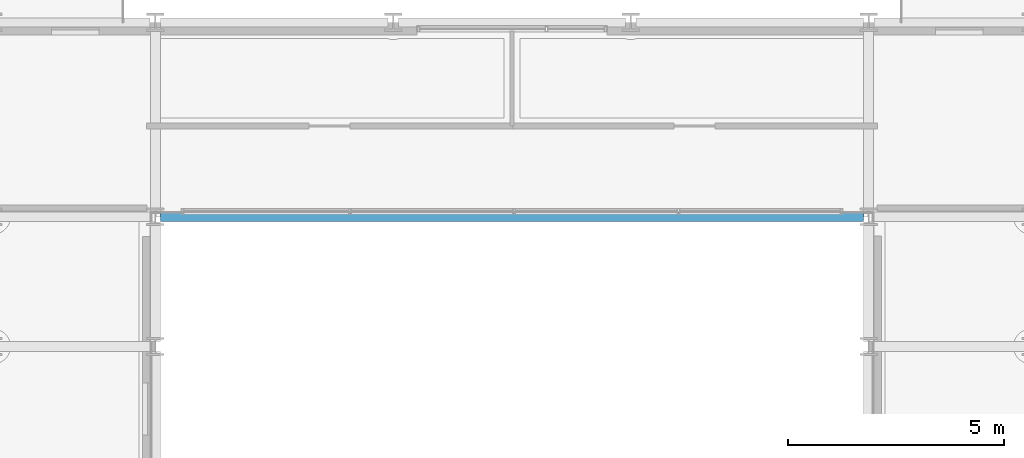
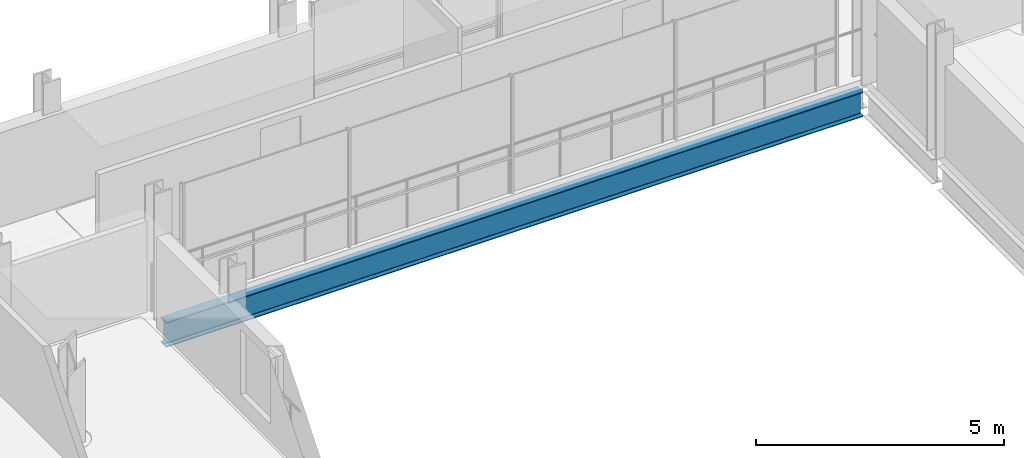
# One storey, part 12 of 38: 1 beam.
"""IFC4 building model written with IfcOpenShell, lengths in metres."""

from ifc_helpers import new_model, si_unit, direction, frame, origin, origin_2d, place, context, subcontext, project, spatial, i_section, extrude, material, material_profile, profile_set, type_object, element, save


model = new_model("IFC4")

# Units and contexts
model_context = context("Model", 3, precision=1e-05, world=origin(), true_north=direction((0.0, 1.0)))
body_context = subcontext(model_context, "Body", "Model", "MODEL_VIEW")
ifc_project = project(units=[si_unit("LENGTHUNIT", "METRE"), si_unit("AREAUNIT", "SQUARE_METRE"), si_unit("VOLUMEUNIT", "CUBIC_METRE"), si_unit("PLANEANGLEUNIT", "RADIAN"), si_unit("MASSUNIT", "GRAM", prefix="KILO")], contexts=[model_context])

# Site, building, storey
site_placement = place(None, origin())
site = spatial("IfcSite", under=ifc_project, at=site_placement, CompositionType="ELEMENT")
building_placement = place(site_placement, origin())
building = spatial("IfcBuilding", under=site, at=building_placement, Name="Brevholm Reach", CompositionType="ELEMENT")
storey_placement = place(building_placement, frame((0.0, 0.0, 166.60009765625)))
storey = spatial("IfcBuildingStorey", under=building, at=storey_placement, Name="L50", CompositionType="ELEMENT", Elevation=166.60009765625)

# Beam
ifc_material = material(Name="Structural Steel S355J2", Category="steel")
ifc_material_profile = material_profile(ifc_material, i_section(OverallWidth=0.22900390625, OverallDepth=0.6123046875, WebThickness=0.011962890625, FlangeThickness=0.01953125, FilletRadius=0.0126953125, at=origin_2d()), Name="UKB 610x229x125")
ifc_profile_set = profile_set([ifc_material_profile], Name="Structural Steel S355J2")
beam_type = type_object("IfcBeamType", Name="BM-SP610", PredefinedType="SPANDREL", material=ifc_profile_set)
beam_placement = place(storey_placement, frame((21.8701171875, 26.5, -0.526123046875), z_axis=(1.0, 0.0, 0.0), x_axis=(0.0, 1.0, 0.0)))
element("IfcBeam", 1, at=beam_placement, inside=storey, type_object=beam_type, Name="L50 SP-01 Framing Beam", PredefinedType="SPANDREL", context=body_context, shape_type="SweptSolid", body=[
    extrude(i_section(OverallWidth=0.22900390625, OverallDepth=0.6123046875, WebThickness=0.011962890625, FlangeThickness=0.01953125, FilletRadius=0.0126953125, at=origin_2d()), origin(), (0.0, 0.0, 1.0), 16.259765625),
])

save(model, "model.ifc")
